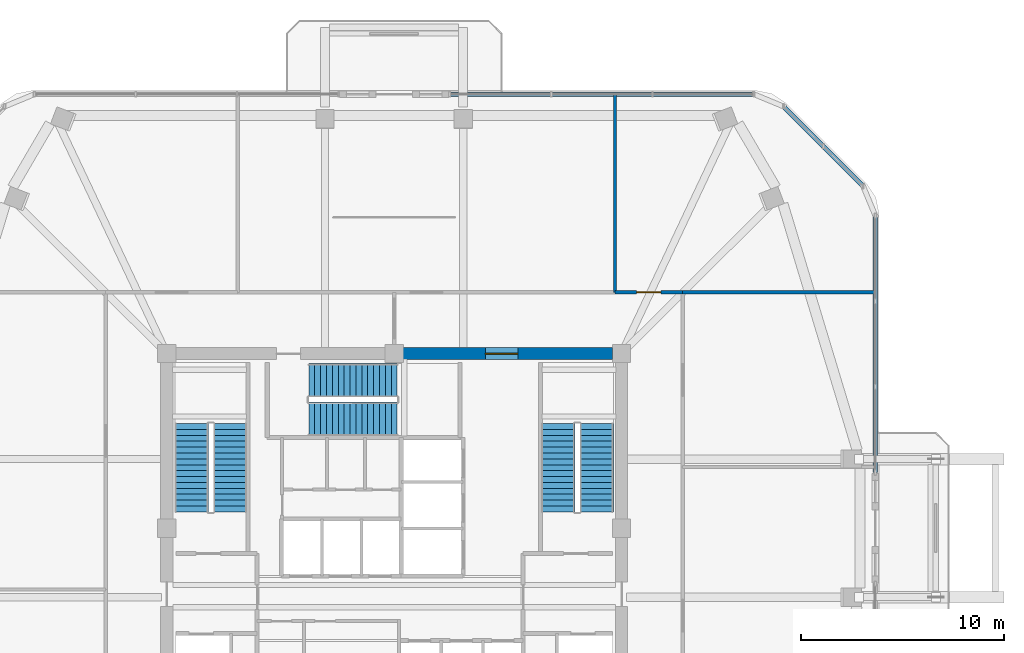
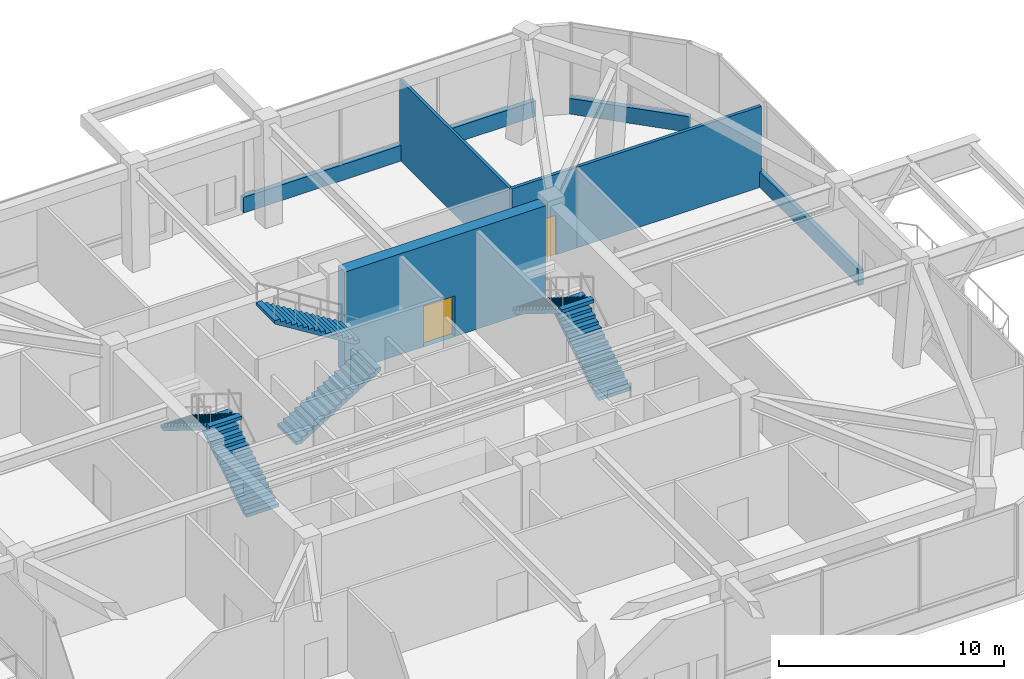
# One storey, part 11 of 14: 7 walls, 6 stair flights, 2 doors, 2 openings, 3 elements without a shape of their own.
"""IFC4 building model written with IfcOpenShell, lengths in metres."""

from ifc_helpers import new_model, si_unit, derived_unit, direction, frame, frame_2d, origin, place, context, subcontext, project, spatial, polyline, rectangle, outline, extrude, material, layer, layer_set, type_object, element, fill, aggregate, save


model = new_model("IFC4")

# Units and contexts
model_context = context("Model", 3, precision=1e-05, world=origin(), true_north=direction((0.0, 1.0)))
body_context = subcontext(model_context, "Body", "Model", "MODEL_VIEW")
ifc_project = project(units=[si_unit("LENGTHUNIT", "METRE"), si_unit("AREAUNIT", "SQUARE_METRE"), si_unit("VOLUMEUNIT", "CUBIC_METRE"), si_unit("PLANEANGLEUNIT", "RADIAN"), si_unit("MASSUNIT", "GRAM", prefix="KILO"), derived_unit("THERMALTRANSMITTANCEUNIT", [(si_unit("POWERUNIT", "WATT"), 1), (si_unit("LENGTHUNIT", "METRE"), -2), (si_unit("THERMODYNAMICTEMPERATUREUNIT", "KELVIN"), -1)])], contexts=[model_context])

# Site, building, storey
site_placement = place(None, origin())
site = spatial("IfcSite", under=ifc_project, at=site_placement, CompositionType="ELEMENT")
building_placement = place(site_placement, origin())
building = spatial("IfcBuilding", under=site, at=building_placement, Name="Koralith Skygarden Medical Center", CompositionType="ELEMENT")
storey_placement = place(building_placement, frame((0.0, 0.0, 182.699951171875)))
storey = spatial("IfcBuildingStorey", under=building, at=storey_placement, Name="L47", CompositionType="ELEMENT", Elevation=182.699951171875)

# Walls
ifc_material_1 = material(Name="Gypsum Board Partition")
ifc_layer_1 = layer(ifc_material_1, 0.14990234375)
ifc_layer_set_1 = layer_set([ifc_layer_1], Name="Gypsum Board Partition")
wall_type_1 = type_object("IfcWallType", Name="Clinical Acoustic Partition 150", PredefinedType="PARTITIONING", material=ifc_layer_set_1)
wall_1_placement = place(storey_placement, frame((47.875, 37.510009765625, 0.0), z_axis=(0.0, 0.0, 1.0), x_axis=(0.0, 1.0, 0.0)))
element("IfcWall", 1, at=wall_1_placement, inside=storey, type_object=wall_type_1, Name="L47 Clinical Acoustic Partition 150 W-AMPART-L47-N-2", PredefinedType="PARTITIONING", context=body_context, shape_type="SweptSolid", body=[
    extrude(rectangle(XDim=9.740966796875, YDim=0.14990234375, at=frame_2d((4.87060546875, 0.0))), origin(), (0.0, 0.0, 1.0), 4.3701171875),
])
ifc_layer_2 = layer(ifc_material_1, 0.1650390625)
ifc_layer_set_2 = layer_set([ifc_layer_2], Name="Gypsum Board Partition")
wall_type_2 = type_object("IfcWallType", Name="Clinical Corridor Partition 165", PredefinedType="PARTITIONING", material=ifc_layer_set_2)
wall_2_placement = place(storey_placement, frame((51.2099609375, 37.510009765625, 0.0), z_axis=(0.0, 0.0, 1.0), x_axis=(1.0, 0.0, 0.0)))
element("IfcWall", 2, at=wall_2_placement, inside=storey, type_object=wall_type_2, Name="L47 Clinical Corridor Partition 165 W-WB-L47-NE", PredefinedType="PARTITIONING", context=body_context, shape_type="SweptSolid", body=[
    extrude(rectangle(XDim=9.467041015625, YDim=0.1650390625, at=frame_2d((4.7333984375, 0.0))), origin(), (0.0, 0.0, 1.0), 4.3701171875),
])

# Wall, opening, door
wall_3_placement = place(storey_placement, frame((47.875, 37.510009765625, 0.0), z_axis=(0.0, 0.0, 1.0), x_axis=(1.0, 0.0, 0.0)))
wall_3 = element("IfcWall", 3, at=wall_3_placement, inside=storey, type_object=wall_type_2, Name="L47 Clinical Corridor Partition 165 W-AMCOR-L47-N-3", PredefinedType="PARTITIONING", context=body_context, shape_type="SweptSolid", body=[
    extrude(rectangle(XDim=3.3349609375, YDim=0.1650390625, at=frame_2d((1.66748046875, 0.0))), origin(), (0.0, 0.0, 1.0), 4.3701171875),
])
opening_1_placement = place(wall_3_placement, frame((1.068115234375, 0.0, 0.0)))
opening_1 = element("IfcOpeningElement", 4, at=opening_1_placement, cuts=wall_3, Name="Opening D-CLN", PredefinedType="OPENING", context=body_context, shape_type="SweptSolid", body=[
    extrude(rectangle(XDim=1.199951171875, YDim=2.14990234375, at=frame_2d((0.60009765625, 1.074951171875))), frame((0.0, 0.092529296875, 0.0), z_axis=(0.0, -1.0, 0.0), x_axis=(1.0, 0.0, 0.0)), (0.0, 0.0, 1.0), 0.18505859375),
])
ifc_material_2 = material(Name="Aluminium 6063-T6", Category="aluminium")
door_type_1 = type_object("IfcDoorType", Name="Clinical Corridor Door D-CLN 1200", OperationType="NOTDEFINED", PredefinedType="DOOR", material=ifc_material_2)
door_1_placement = place(opening_1_placement, origin())
door_1 = element("IfcDoor", 5, at=door_1_placement, inside=storey, type_object=door_type_1, Name="L47 Communal Teaching Kitchen Door", OperationType="SINGLE_SWING_LEFT", OverallHeight=2.14990234375, OverallWidth=1.199951171875, PredefinedType="DOOR", context=body_context, shape_type="SweptSolid", body=[
    extrude(rectangle(XDim=1.199951171875, YDim=2.14990234375, at=frame_2d((0.60009765625, 1.074951171875))), frame((0.0, 0.02490234375, 0.0), z_axis=(0.0, -1.0, 0.0), x_axis=(1.0, 0.0, 0.0)), (0.0, 0.0, 1.0), 0.050048828125),
])
fill(opening_1, door_1)

# Walls
ifc_material_3 = material(Name="Warm Oolitic Limestone Cladding", Category="masonry")
ifc_layer_3 = layer(ifc_material_3, 0.239990234375)
ifc_layer_set_3 = layer_set([ifc_layer_3], Name="Warm Oolitic Limestone Cladding")
wall_type_3 = type_object("IfcWallType", Name="Limestone Spandrel Sill Backup Wall 240", PredefinedType="SOLIDWALL", material=ifc_layer_set_3)
wall_4_placement = place(storey_placement, frame((60.697021484375, 28.639892578125, 0.0), z_axis=(0.0, 0.0, 1.0), x_axis=(0.0, 1.0, 0.0)))
element("IfcWall", 6, at=wall_4_placement, inside=storey, type_object=wall_type_3, Name="L47 Sill Spandrel E-R", PredefinedType="SOLIDWALL", context=body_context, shape_type="SweptSolid", body=[
    extrude(rectangle(XDim=12.655029296875, YDim=0.239990234375, at=frame_2d((6.32763671875, 0.0))), origin(), (0.0, 0.0, 1.0), 0.85009765625),
])
wall_5_placement = place(storey_placement, frame((60.095947265625, 42.74609375, 0.0), z_axis=(0.0, 0.0, 1.0), x_axis=(-0.707106781187, 0.707106781187, 0.0)))
element("IfcWall", 7, at=wall_5_placement, inside=storey, type_object=wall_type_3, Name="L47 Sill Spandrel NE", PredefinedType="SOLIDWALL", context=body_context, shape_type="SweptSolid", body=[
    extrude(rectangle(XDim=5.5478515625, YDim=0.239990234375, at=frame_2d((2.77392578125, 0.0))), origin(), (0.0, 0.0, 1.0), 0.85009765625),
])
wall_6_placement = place(storey_placement, frame((54.721923828125, 47.27001953125, 0.0), z_axis=(0.0, 0.0, 1.0), x_axis=(-1.0, 0.0, 0.0)))
element("IfcWall", 8, at=wall_6_placement, inside=storey, type_object=wall_type_3, Name="L47 Sill Spandrel N-L", PredefinedType="SOLIDWALL", context=body_context, shape_type="SweptSolid", body=[
    extrude(rectangle(XDim=14.98095703125, YDim=0.239990234375, at=frame_2d((7.490478515625, 0.0))), origin(), (0.0, 0.0, 1.0), 0.85009765625),
])

# Wall, opening, door
ifc_material_4 = material(Name="Concrete C55/67", Category="concrete")
ifc_layer_4 = layer(ifc_material_4, 0.60009765625)
ifc_layer_set_4 = layer_set([ifc_layer_4], Name="Concrete C55/67")
wall_type_4 = type_object("IfcWallType", Name="Upper Core Shear Wall 600", PredefinedType="SHEAR", material=ifc_layer_set_4)
wall_7_placement = place(storey_placement, frame((47.7548828125, 34.5, 0.0), z_axis=(0.0, 0.0, 1.0), x_axis=(-1.0, 0.0, 0.0)))
wall_7 = element("IfcWall", 9, at=wall_7_placement, inside=storey, type_object=wall_type_4, Name="L47 Core Shear Wall Segment 5", PredefinedType="SHEAR", context=body_context, shape_type="SweptSolid", body=[
    extrude(rectangle(XDim=10.309814453125, YDim=0.60009765625, at=frame_2d((5.15478515625, 0.0))), origin(), (0.0, 0.0, 1.0), 5.4599609375),
])
opening_2_placement = place(wall_7_placement, frame((4.655029296875, 0.0, 0.0)))
opening_2 = element("IfcOpeningElement", 10, at=opening_2_placement, cuts=wall_7, Name="Opening D-DBL", PredefinedType="OPENING", context=body_context, shape_type="SweptSolid", body=[
    extrude(rectangle(XDim=1.60009765625, YDim=2.199951171875, at=frame_2d((0.800048828125, 1.10009765625))), frame((0.0, 0.31005859375, 0.0), z_axis=(0.0, -1.0, 0.0), x_axis=(1.0, 0.0, 0.0)), (0.0, 0.0, 1.0), 0.6201171875),
])
door_type_2 = type_object("IfcDoorType", Name="Double Clinical Suite Door D-DBL 1600", OperationType="NOTDEFINED", PredefinedType="DOOR", material=ifc_material_2)
door_2_placement = place(opening_2_placement, frame((1.60009765625, 0.0, 0.0), z_axis=(0.0, 0.0, 1.0), x_axis=(-1.0, 0.0, 0.0)))
door_2 = element("IfcDoor", 11, at=door_2_placement, inside=storey, type_object=door_type_2, Name="L47 North-East Corridor to Elevator Lobby Door", OperationType="DOUBLE_DOOR_SINGLE_SWING", OverallHeight=2.199951171875, OverallWidth=1.60009765625, PredefinedType="DOOR", context=body_context, shape_type="SweptSolid", body=[
    extrude(rectangle(XDim=1.60009765625, YDim=2.199951171875, at=frame_2d((0.800048828125, 1.10009765625))), frame((0.0, 0.02490234375, 0.0), z_axis=(0.0, -1.0, 0.0), x_axis=(1.0, 0.0, 0.0)), (0.0, 0.0, 1.0), 0.050048828125),
])
fill(opening_2, door_2)

# Stair, stair flights
ifc_material_5 = material(Name="Concrete C45/55", Category="concrete")
stair_type = type_object("IfcStairType", Name="Core Exit Dogleg Concrete Stair", PredefinedType="HALF_TURN_STAIR", material=ifc_material_5)
stair_1_placement = place(storey_placement, origin())
stair_1 = element("IfcStair", 12, at=stair_1_placement, inside=storey, type_object=stair_type, Name="L47 Smokeproof Exit Stair ST1", PredefinedType="HALF_TURN_STAIR")
stair_flight_type = type_object("IfcStairFlightType", Name="Core Exit Concrete Stair Flight 1650", PredefinedType="STRAIGHT", material=ifc_material_5)
stair_flight_1_placement = place(storey_placement, frame((28.925048828125, 26.699951171875, 0.0), z_axis=(0.0, 0.0, 1.0), x_axis=(0.0, 1.0, 0.0)))
stair_flight_1 = element("IfcStairFlight", 13, at=stair_flight_1_placement, type_object=stair_flight_type, Name="ST1 flight 1", NumberOfRisers=16, NumberOfTreads=15, PredefinedType="STRAIGHT", RiserHeight=0.18, TreadLength=0.29, context=body_context, shape_type="SweptSolid", body=[
    extrude(outline(polyline([(0.0, 0.0), (0.0, 0.179931640625), (0.2900390625, 0.179931640625), (0.2900390625, 0.360107421875), (0.580078125, 0.360107421875), (0.580078125, 0.5400390625), (0.8701171875, 0.5400390625), (0.8701171875, 0.719970703125), (1.159912109375, 0.719970703125), (1.159912109375, 0.89990234375), (1.449951171875, 0.89990234375), (1.449951171875, 1.080078125), (1.739990234375, 1.080078125), (1.739990234375, 1.260009765625), (2.030029296875, 1.260009765625), (2.030029296875, 1.43994140625), (2.320068359375, 1.43994140625), (2.320068359375, 1.6201171875), (2.610107421875, 1.6201171875), (2.610107421875, 1.800048828125), (2.89990234375, 1.800048828125), (2.89990234375, 1.97998046875), (3.18994140625, 1.97998046875), (3.18994140625, 2.159912109375), (3.47998046875, 2.159912109375), (3.47998046875, 2.340087890625), (3.77001953125, 2.340087890625), (3.77001953125, 2.52001953125), (4.06005859375, 2.52001953125), (4.06005859375, 2.699951171875), (4.35009765625, 2.699951171875), (4.35009765625, 2.8798828125), (4.35009765625, 2.523681640625), (0.2841796875, 0.0), (0.0, 0.0)])), frame((0.0, 0.824951171875, 0.0), z_axis=(0.0, -1.0, 0.0), x_axis=(1.0, 0.0, 0.0)), (0.0, 0.0, 1.0), 1.64990234375),
])
stair_flight_2_placement = place(storey_placement, frame((27.02490234375, 31.050048828125, 2.880126953125), z_axis=(0.0, 0.0, 1.0), x_axis=(0.0, -1.0, 0.0)))
stair_flight_2 = element("IfcStairFlight", 14, at=stair_flight_2_placement, type_object=stair_flight_type, Name="ST1 flight 2", NumberOfRisers=16, NumberOfTreads=15, PredefinedType="STRAIGHT", RiserHeight=0.18, TreadLength=0.29, context=body_context, shape_type="SweptSolid", body=[
    extrude(outline(polyline([(0.0, 0.0), (0.0, 0.179931640625), (0.2900390625, 0.179931640625), (0.2900390625, 0.360107421875), (0.580078125, 0.360107421875), (0.580078125, 0.5400390625), (0.8701171875, 0.5400390625), (0.8701171875, 0.719970703125), (1.159912109375, 0.719970703125), (1.159912109375, 0.89990234375), (1.449951171875, 0.89990234375), (1.449951171875, 1.080078125), (1.739990234375, 1.080078125), (1.739990234375, 1.260009765625), (2.030029296875, 1.260009765625), (2.030029296875, 1.43994140625), (2.320068359375, 1.43994140625), (2.320068359375, 1.6201171875), (2.610107421875, 1.6201171875), (2.610107421875, 1.800048828125), (2.89990234375, 1.800048828125), (2.89990234375, 1.97998046875), (3.18994140625, 1.97998046875), (3.18994140625, 2.159912109375), (3.47998046875, 2.159912109375), (3.47998046875, 2.340087890625), (3.77001953125, 2.340087890625), (3.77001953125, 2.52001953125), (4.06005859375, 2.52001953125), (4.06005859375, 2.699951171875), (4.35009765625, 2.699951171875), (4.35009765625, 2.8798828125), (4.35009765625, 2.523681640625), (0.2841796875, 0.0), (0.0, 0.0)])), frame((0.0, 0.824951171875, 0.0), z_axis=(0.0, -1.0, 0.0), x_axis=(1.0, 0.0, 0.0)), (0.0, 0.0, 1.0), 1.64990234375),
])
aggregate(stair_1, [stair_flight_1, stair_flight_2])

stair_2_placement = place(storey_placement, origin())
stair_2 = element("IfcStair", 15, at=stair_2_placement, inside=storey, type_object=stair_type, Name="L47 Smokeproof Exit Stair ST2", PredefinedType="HALF_TURN_STAIR")
stair_flight_3_placement = place(storey_placement, frame((46.97509765625, 26.699951171875, 0.0), z_axis=(0.0, 0.0, 1.0), x_axis=(0.0, 1.0, 0.0)))
stair_flight_3 = element("IfcStairFlight", 16, at=stair_flight_3_placement, type_object=stair_flight_type, Name="ST2 flight 1", NumberOfRisers=16, NumberOfTreads=15, PredefinedType="STRAIGHT", RiserHeight=0.18, TreadLength=0.29, context=body_context, shape_type="SweptSolid", body=[
    extrude(outline(polyline([(0.0, 0.0), (0.0, 0.179931640625), (0.2900390625, 0.179931640625), (0.2900390625, 0.360107421875), (0.580078125, 0.360107421875), (0.580078125, 0.5400390625), (0.8701171875, 0.5400390625), (0.8701171875, 0.719970703125), (1.159912109375, 0.719970703125), (1.159912109375, 0.89990234375), (1.449951171875, 0.89990234375), (1.449951171875, 1.080078125), (1.739990234375, 1.080078125), (1.739990234375, 1.260009765625), (2.030029296875, 1.260009765625), (2.030029296875, 1.43994140625), (2.320068359375, 1.43994140625), (2.320068359375, 1.6201171875), (2.610107421875, 1.6201171875), (2.610107421875, 1.800048828125), (2.89990234375, 1.800048828125), (2.89990234375, 1.97998046875), (3.18994140625, 1.97998046875), (3.18994140625, 2.159912109375), (3.47998046875, 2.159912109375), (3.47998046875, 2.340087890625), (3.77001953125, 2.340087890625), (3.77001953125, 2.52001953125), (4.06005859375, 2.52001953125), (4.06005859375, 2.699951171875), (4.35009765625, 2.699951171875), (4.35009765625, 2.8798828125), (4.35009765625, 2.523681640625), (0.2841796875, 0.0), (0.0, 0.0)])), frame((0.0, 0.824951171875, 0.0), z_axis=(0.0, -1.0, 0.0), x_axis=(1.0, 0.0, 0.0)), (0.0, 0.0, 1.0), 1.64990234375),
])
stair_flight_4_placement = place(storey_placement, frame((45.074951171875, 31.050048828125, 2.880126953125), z_axis=(0.0, 0.0, 1.0), x_axis=(0.0, -1.0, 0.0)))
stair_flight_4 = element("IfcStairFlight", 17, at=stair_flight_4_placement, type_object=stair_flight_type, Name="ST2 flight 2", NumberOfRisers=16, NumberOfTreads=15, PredefinedType="STRAIGHT", RiserHeight=0.18, TreadLength=0.29, context=body_context, shape_type="SweptSolid", body=[
    extrude(outline(polyline([(0.0, 0.0), (0.0, 0.179931640625), (0.2900390625, 0.179931640625), (0.2900390625, 0.360107421875), (0.580078125, 0.360107421875), (0.580078125, 0.5400390625), (0.8701171875, 0.5400390625), (0.8701171875, 0.719970703125), (1.159912109375, 0.719970703125), (1.159912109375, 0.89990234375), (1.449951171875, 0.89990234375), (1.449951171875, 1.080078125), (1.739990234375, 1.080078125), (1.739990234375, 1.260009765625), (2.030029296875, 1.260009765625), (2.030029296875, 1.43994140625), (2.320068359375, 1.43994140625), (2.320068359375, 1.6201171875), (2.610107421875, 1.6201171875), (2.610107421875, 1.800048828125), (2.89990234375, 1.800048828125), (2.89990234375, 1.97998046875), (3.18994140625, 1.97998046875), (3.18994140625, 2.159912109375), (3.47998046875, 2.159912109375), (3.47998046875, 2.340087890625), (3.77001953125, 2.340087890625), (3.77001953125, 2.52001953125), (4.06005859375, 2.52001953125), (4.06005859375, 2.699951171875), (4.35009765625, 2.699951171875), (4.35009765625, 2.8798828125), (4.35009765625, 2.523681640625), (0.2841796875, 0.0), (0.0, 0.0)])), frame((0.0, 0.824951171875, 0.0), z_axis=(0.0, -1.0, 0.0), x_axis=(1.0, 0.0, 0.0)), (0.0, 0.0, 1.0), 1.64990234375),
])
aggregate(stair_2, [stair_flight_3, stair_flight_4])

stair_3_placement = place(storey_placement, origin())
stair_3 = element("IfcStair", 18, at=stair_3_placement, inside=storey, type_object=stair_type, Name="L47 Smokeproof Exit Stair ST3", PredefinedType="HALF_TURN_STAIR")
stair_flight_5_placement = place(storey_placement, frame((32.800048828125, 31.27490234375, 0.0), z_axis=(0.0, 0.0, 1.0), x_axis=(1.0, 0.0, 0.0)))
stair_flight_5 = element("IfcStairFlight", 19, at=stair_flight_5_placement, type_object=stair_flight_type, Name="ST3 flight 1", NumberOfRisers=16, NumberOfTreads=15, PredefinedType="STRAIGHT", RiserHeight=0.18, TreadLength=0.29, context=body_context, shape_type="SweptSolid", body=[
    extrude(outline(polyline([(0.0, 0.0), (0.0, 0.179931640625), (0.2900390625, 0.179931640625), (0.2900390625, 0.360107421875), (0.580078125, 0.360107421875), (0.580078125, 0.5400390625), (0.8701171875, 0.5400390625), (0.8701171875, 0.719970703125), (1.159912109375, 0.719970703125), (1.159912109375, 0.89990234375), (1.449951171875, 0.89990234375), (1.449951171875, 1.080078125), (1.739990234375, 1.080078125), (1.739990234375, 1.260009765625), (2.030029296875, 1.260009765625), (2.030029296875, 1.43994140625), (2.320068359375, 1.43994140625), (2.320068359375, 1.6201171875), (2.610107421875, 1.6201171875), (2.610107421875, 1.800048828125), (2.89990234375, 1.800048828125), (2.89990234375, 1.97998046875), (3.18994140625, 1.97998046875), (3.18994140625, 2.159912109375), (3.47998046875, 2.159912109375), (3.47998046875, 2.340087890625), (3.77001953125, 2.340087890625), (3.77001953125, 2.52001953125), (4.06005859375, 2.52001953125), (4.06005859375, 2.699951171875), (4.35009765625, 2.699951171875), (4.35009765625, 2.8798828125), (4.35009765625, 2.523681640625), (0.2841796875, 0.0), (0.0, 0.0)])), frame((0.0, 0.824951171875, 0.0), z_axis=(0.0, -1.0, 0.0), x_axis=(1.0, 0.0, 0.0)), (0.0, 0.0, 1.0), 1.64990234375),
])
stair_flight_6_placement = place(storey_placement, frame((37.14990234375, 33.175048828125, 2.880126953125), z_axis=(0.0, 0.0, 1.0), x_axis=(-1.0, 0.0, 0.0)))
stair_flight_6 = element("IfcStairFlight", 20, at=stair_flight_6_placement, type_object=stair_flight_type, Name="ST3 flight 2", NumberOfRisers=16, NumberOfTreads=15, PredefinedType="STRAIGHT", RiserHeight=0.18, TreadLength=0.29, context=body_context, shape_type="SweptSolid", body=[
    extrude(outline(polyline([(0.0, 0.0), (0.0, 0.179931640625), (0.2900390625, 0.179931640625), (0.2900390625, 0.360107421875), (0.580078125, 0.360107421875), (0.580078125, 0.5400390625), (0.8701171875, 0.5400390625), (0.8701171875, 0.719970703125), (1.159912109375, 0.719970703125), (1.159912109375, 0.89990234375), (1.449951171875, 0.89990234375), (1.449951171875, 1.080078125), (1.739990234375, 1.080078125), (1.739990234375, 1.260009765625), (2.030029296875, 1.260009765625), (2.030029296875, 1.43994140625), (2.320068359375, 1.43994140625), (2.320068359375, 1.6201171875), (2.610107421875, 1.6201171875), (2.610107421875, 1.800048828125), (2.89990234375, 1.800048828125), (2.89990234375, 1.97998046875), (3.18994140625, 1.97998046875), (3.18994140625, 2.159912109375), (3.47998046875, 2.159912109375), (3.47998046875, 2.340087890625), (3.77001953125, 2.340087890625), (3.77001953125, 2.52001953125), (4.06005859375, 2.52001953125), (4.06005859375, 2.699951171875), (4.35009765625, 2.699951171875), (4.35009765625, 2.8798828125), (4.35009765625, 2.523681640625), (0.2841796875, 0.0), (0.0, 0.0)])), frame((0.0, 0.824951171875, 0.0), z_axis=(0.0, -1.0, 0.0), x_axis=(1.0, 0.0, 0.0)), (0.0, 0.0, 1.0), 1.64990234375),
])
aggregate(stair_3, [stair_flight_5, stair_flight_6])

save(model, "model.ifc")
